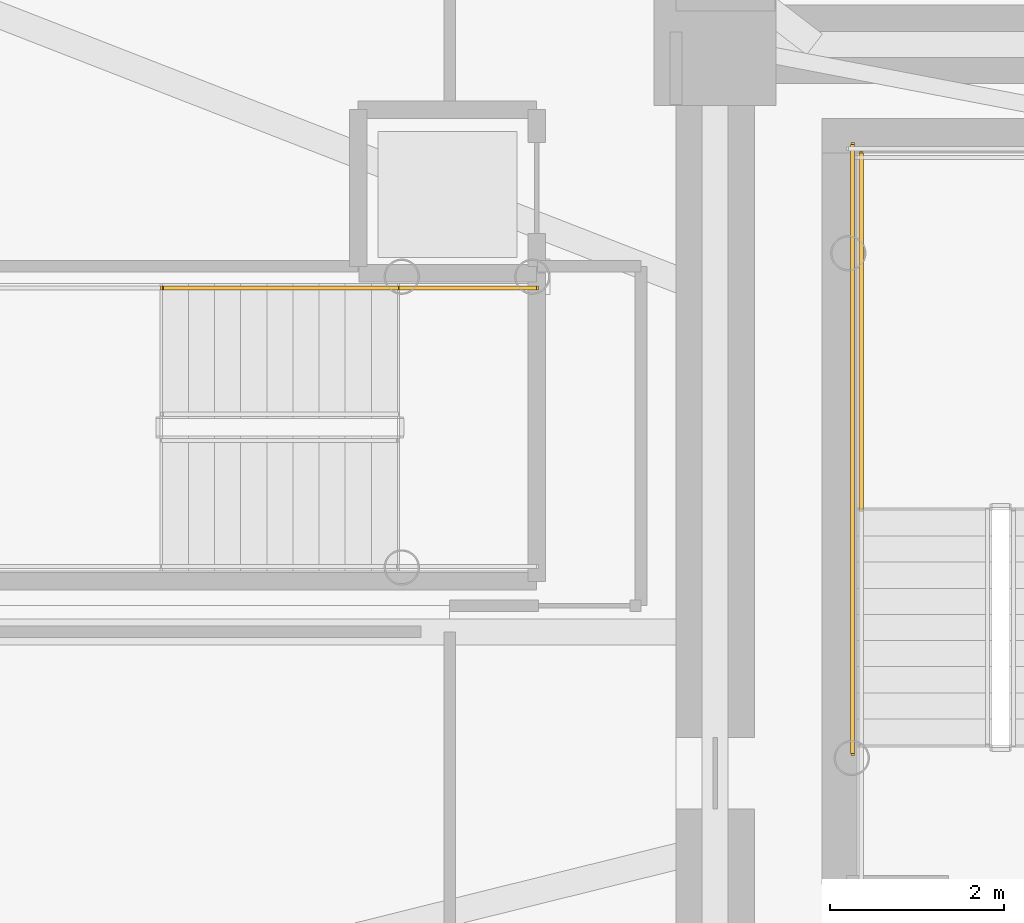
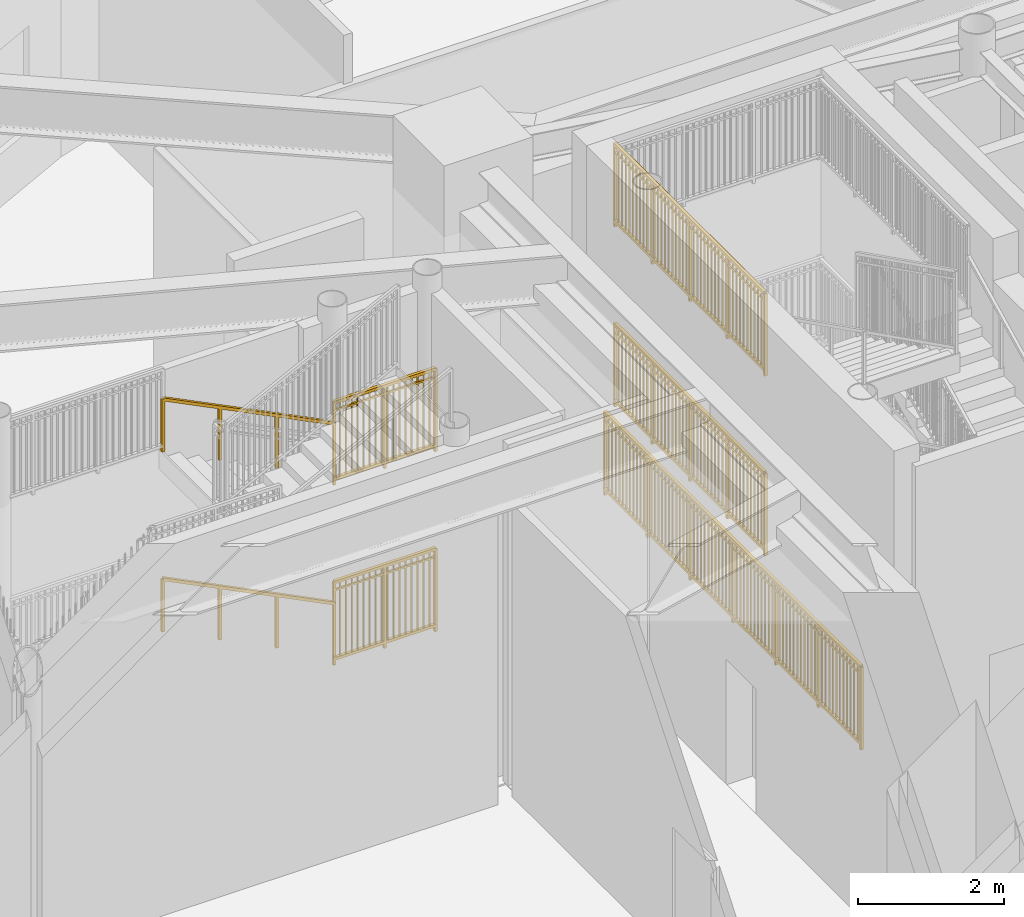
# One storey, part 36 of 46: 7 railings.
"""IFC4 building model written with IfcOpenShell, lengths in metres."""

from ifc_helpers import new_model, si_unit, direction, frame, origin, origin_2d, place, context, subcontext, project, spatial, rectangle, extrude, source, transform, mapped, material, type_object, element, save


model = new_model("IFC4")

# Units and contexts
model_context = context("Model", 3, precision=1e-05, world=origin(), true_north=direction((0.0, 1.0)))
body_context = subcontext(model_context, "Body", "Model", "MODEL_VIEW")
ifc_project = project(units=[si_unit("LENGTHUNIT", "METRE"), si_unit("AREAUNIT", "SQUARE_METRE"), si_unit("VOLUMEUNIT", "CUBIC_METRE"), si_unit("PLANEANGLEUNIT", "RADIAN"), si_unit("MASSUNIT", "GRAM", prefix="KILO")], contexts=[model_context])

# Site, building, storey
site_placement = place(None, origin())
site = spatial("IfcSite", under=ifc_project, at=site_placement, CompositionType="ELEMENT")
building_placement = place(site_placement, origin())
building = spatial("IfcBuilding", under=site, at=building_placement, Name="Linh Dai School and Residence Tower", CompositionType="ELEMENT")
storey_placement = place(building_placement, origin())
storey = spatial("IfcBuildingStorey", under=building, at=storey_placement, Name="L00", CompositionType="ELEMENT", Elevation=0.0)

# Railings
ifc_material_1 = material(Name="Structural Steel S355JR", Category="steel")
railing_type_1 = type_object("IfcRailingType", Name="RL-ST-GUARD-1400", PredefinedType="GUARDRAIL", material=ifc_material_1)
shared_shape_1 = source(origin(), body_context, "Body", "SweptSolid", [
    extrude(rectangle(XDim=0.048095703125, YDim=0.048095703125, at=origin_2d()), frame((0.0, 0.0, 1.3759765625), z_axis=(0.0, 1.0, 0.0), x_axis=(-1.0, 0.0, 0.0)), (0.0, 0.0, 1.0), 7.0),
    extrude(rectangle(XDim=0.048095703125, YDim=0.048095703125, at=origin_2d()), frame((0.0, 0.0, 0.10009765625), z_axis=(0.0, 1.0, 0.0), x_axis=(-1.0, 0.0, 0.0)), (0.0, 0.0, 1.0), 7.0),
    extrude(rectangle(XDim=0.030029296875, YDim=0.030029296875, at=origin_2d()), frame((0.0, 0.0, 1.239990234375), z_axis=(0.0, 1.0, 0.0), x_axis=(-1.0, 0.0, 0.0)), (0.0, 0.0, 1.0), 7.0),
    extrude(rectangle(XDim=0.02001953125, YDim=0.02001953125, at=origin_2d()), frame((0.0, 0.09716796875, 0.10009765625)), (0.0, 0.0, 1.0), 1.251708984375),
    extrude(rectangle(XDim=0.02001953125, YDim=0.02001953125, at=origin_2d()), frame((0.0, 0.1943359375, 0.10009765625)), (0.0, 0.0, 1.0), 1.251708984375),
    extrude(rectangle(XDim=0.02001953125, YDim=0.02001953125, at=origin_2d()), frame((0.0, 0.291748046875, 0.10009765625)), (0.0, 0.0, 1.0), 1.251708984375),
    extrude(rectangle(XDim=0.02001953125, YDim=0.02001953125, at=origin_2d()), frame((0.0, 0.388916015625, 0.10009765625)), (0.0, 0.0, 1.0), 1.251708984375),
    extrude(rectangle(XDim=0.02001953125, YDim=0.02001953125, at=origin_2d()), frame((0.0, 0.486083984375, 0.10009765625)), (0.0, 0.0, 1.0), 1.251708984375),
    extrude(rectangle(XDim=0.02001953125, YDim=0.02001953125, at=origin_2d()), frame((0.0, 0.583251953125, 0.10009765625)), (0.0, 0.0, 1.0), 1.251708984375),
    extrude(rectangle(XDim=0.02001953125, YDim=0.02001953125, at=origin_2d()), frame((0.0, 0.6806640625, 0.10009765625)), (0.0, 0.0, 1.0), 1.251708984375),
    extrude(rectangle(XDim=0.02001953125, YDim=0.02001953125, at=origin_2d()), frame((0.0, 0.77783203125, 0.10009765625)), (0.0, 0.0, 1.0), 1.251708984375),
    extrude(rectangle(XDim=0.02001953125, YDim=0.02001953125, at=origin_2d()), frame((0.0, 0.875, 0.10009765625)), (0.0, 0.0, 1.0), 1.251708984375),
    extrude(rectangle(XDim=0.02001953125, YDim=0.02001953125, at=origin_2d()), frame((0.0, 0.97216796875, 0.10009765625)), (0.0, 0.0, 1.0), 1.251708984375),
    extrude(rectangle(XDim=0.02001953125, YDim=0.02001953125, at=origin_2d()), frame((0.0, 1.0693359375, 0.10009765625)), (0.0, 0.0, 1.0), 1.251708984375),
    extrude(rectangle(XDim=0.02001953125, YDim=0.02001953125, at=origin_2d()), frame((0.0, 1.263916015625, 0.10009765625)), (0.0, 0.0, 1.0), 1.251708984375),
    extrude(rectangle(XDim=0.02001953125, YDim=0.02001953125, at=origin_2d()), frame((0.0, 1.361083984375, 0.10009765625)), (0.0, 0.0, 1.0), 1.251708984375),
    extrude(rectangle(XDim=0.02001953125, YDim=0.02001953125, at=origin_2d()), frame((0.0, 1.458251953125, 0.10009765625)), (0.0, 0.0, 1.0), 1.251708984375),
    extrude(rectangle(XDim=0.02001953125, YDim=0.02001953125, at=origin_2d()), frame((0.0, 1.5556640625, 0.10009765625)), (0.0, 0.0, 1.0), 1.251708984375),
    extrude(rectangle(XDim=0.02001953125, YDim=0.02001953125, at=origin_2d()), frame((0.0, 1.65283203125, 0.10009765625)), (0.0, 0.0, 1.0), 1.251708984375),
    extrude(rectangle(XDim=0.02001953125, YDim=0.02001953125, at=origin_2d()), frame((0.0, 1.75, 0.10009765625)), (0.0, 0.0, 1.0), 1.251708984375),
    extrude(rectangle(XDim=0.02001953125, YDim=0.02001953125, at=origin_2d()), frame((0.0, 1.84716796875, 0.10009765625)), (0.0, 0.0, 1.0), 1.251708984375),
    extrude(rectangle(XDim=0.02001953125, YDim=0.02001953125, at=origin_2d()), frame((0.0, 1.9443359375, 0.10009765625)), (0.0, 0.0, 1.0), 1.251708984375),
    extrude(rectangle(XDim=0.02001953125, YDim=0.02001953125, at=origin_2d()), frame((0.0, 2.041748046875, 0.10009765625)), (0.0, 0.0, 1.0), 1.251708984375),
    extrude(rectangle(XDim=0.02001953125, YDim=0.02001953125, at=origin_2d()), frame((0.0, 2.138916015625, 0.10009765625)), (0.0, 0.0, 1.0), 1.251708984375),
    extrude(rectangle(XDim=0.02001953125, YDim=0.02001953125, at=origin_2d()), frame((0.0, 2.236083984375, 0.10009765625)), (0.0, 0.0, 1.0), 1.251708984375),
    extrude(rectangle(XDim=0.02001953125, YDim=0.02001953125, at=origin_2d()), frame((0.0, 2.4306640625, 0.10009765625)), (0.0, 0.0, 1.0), 1.251708984375),
    extrude(rectangle(XDim=0.02001953125, YDim=0.02001953125, at=origin_2d()), frame((0.0, 2.52783203125, 0.10009765625)), (0.0, 0.0, 1.0), 1.251708984375),
    extrude(rectangle(XDim=0.02001953125, YDim=0.02001953125, at=origin_2d()), frame((0.0, 2.625, 0.10009765625)), (0.0, 0.0, 1.0), 1.251708984375),
    extrude(rectangle(XDim=0.02001953125, YDim=0.02001953125, at=origin_2d()), frame((0.0, 2.72216796875, 0.10009765625)), (0.0, 0.0, 1.0), 1.251708984375),
    extrude(rectangle(XDim=0.02001953125, YDim=0.02001953125, at=origin_2d()), frame((0.0, 2.8193359375, 0.10009765625)), (0.0, 0.0, 1.0), 1.251708984375),
    extrude(rectangle(XDim=0.02001953125, YDim=0.02001953125, at=origin_2d()), frame((0.0, 2.916748046875, 0.10009765625)), (0.0, 0.0, 1.0), 1.251708984375),
    extrude(rectangle(XDim=0.02001953125, YDim=0.02001953125, at=origin_2d()), frame((0.0, 3.013916015625, 0.10009765625)), (0.0, 0.0, 1.0), 1.251708984375),
    extrude(rectangle(XDim=0.02001953125, YDim=0.02001953125, at=origin_2d()), frame((0.0, 3.111083984375, 0.10009765625)), (0.0, 0.0, 1.0), 1.251708984375),
    extrude(rectangle(XDim=0.02001953125, YDim=0.02001953125, at=origin_2d()), frame((0.0, 3.208251953125, 0.10009765625)), (0.0, 0.0, 1.0), 1.251708984375),
    extrude(rectangle(XDim=0.02001953125, YDim=0.02001953125, at=origin_2d()), frame((0.0, 3.3056640625, 0.10009765625)), (0.0, 0.0, 1.0), 1.251708984375),
    extrude(rectangle(XDim=0.02001953125, YDim=0.02001953125, at=origin_2d()), frame((0.0, 3.40283203125, 0.10009765625)), (0.0, 0.0, 1.0), 1.251708984375),
    extrude(rectangle(XDim=0.02001953125, YDim=0.02001953125, at=origin_2d()), frame((0.0, 3.59716796875, 0.10009765625)), (0.0, 0.0, 1.0), 1.251708984375),
    extrude(rectangle(XDim=0.02001953125, YDim=0.02001953125, at=origin_2d()), frame((0.0, 3.6943359375, 0.10009765625)), (0.0, 0.0, 1.0), 1.251708984375),
    extrude(rectangle(XDim=0.02001953125, YDim=0.02001953125, at=origin_2d()), frame((0.0, 3.791748046875, 0.10009765625)), (0.0, 0.0, 1.0), 1.251708984375),
    extrude(rectangle(XDim=0.02001953125, YDim=0.02001953125, at=origin_2d()), frame((0.0, 3.888916015625, 0.10009765625)), (0.0, 0.0, 1.0), 1.251708984375),
    extrude(rectangle(XDim=0.02001953125, YDim=0.02001953125, at=origin_2d()), frame((0.0, 3.986083984375, 0.10009765625)), (0.0, 0.0, 1.0), 1.251708984375),
    extrude(rectangle(XDim=0.02001953125, YDim=0.02001953125, at=origin_2d()), frame((0.0, 4.083251953125, 0.10009765625)), (0.0, 0.0, 1.0), 1.251708984375),
    extrude(rectangle(XDim=0.02001953125, YDim=0.02001953125, at=origin_2d()), frame((0.0, 4.1806640625, 0.10009765625)), (0.0, 0.0, 1.0), 1.251708984375),
    extrude(rectangle(XDim=0.02001953125, YDim=0.02001953125, at=origin_2d()), frame((0.0, 4.27783203125, 0.10009765625)), (0.0, 0.0, 1.0), 1.251708984375),
    extrude(rectangle(XDim=0.02001953125, YDim=0.02001953125, at=origin_2d()), frame((0.0, 4.375, 0.10009765625)), (0.0, 0.0, 1.0), 1.251708984375),
    extrude(rectangle(XDim=0.02001953125, YDim=0.02001953125, at=origin_2d()), frame((0.0, 4.47216796875, 0.10009765625)), (0.0, 0.0, 1.0), 1.251708984375),
    extrude(rectangle(XDim=0.02001953125, YDim=0.02001953125, at=origin_2d()), frame((0.0, 4.5693359375, 0.10009765625)), (0.0, 0.0, 1.0), 1.251708984375),
    extrude(rectangle(XDim=0.02001953125, YDim=0.02001953125, at=origin_2d()), frame((0.0, 4.763916015625, 0.10009765625)), (0.0, 0.0, 1.0), 1.251708984375),
    extrude(rectangle(XDim=0.02001953125, YDim=0.02001953125, at=origin_2d()), frame((0.0, 4.861083984375, 0.10009765625)), (0.0, 0.0, 1.0), 1.251708984375),
    extrude(rectangle(XDim=0.02001953125, YDim=0.02001953125, at=origin_2d()), frame((0.0, 4.958251953125, 0.10009765625)), (0.0, 0.0, 1.0), 1.251708984375),
    extrude(rectangle(XDim=0.02001953125, YDim=0.02001953125, at=origin_2d()), frame((0.0, 5.0556640625, 0.10009765625)), (0.0, 0.0, 1.0), 1.251708984375),
    extrude(rectangle(XDim=0.02001953125, YDim=0.02001953125, at=origin_2d()), frame((0.0, 5.15283203125, 0.10009765625)), (0.0, 0.0, 1.0), 1.251708984375),
    extrude(rectangle(XDim=0.02001953125, YDim=0.02001953125, at=origin_2d()), frame((0.0, 5.25, 0.10009765625)), (0.0, 0.0, 1.0), 1.251708984375),
    extrude(rectangle(XDim=0.02001953125, YDim=0.02001953125, at=origin_2d()), frame((0.0, 5.34716796875, 0.10009765625)), (0.0, 0.0, 1.0), 1.251708984375),
    extrude(rectangle(XDim=0.02001953125, YDim=0.02001953125, at=origin_2d()), frame((0.0, 5.4443359375, 0.10009765625)), (0.0, 0.0, 1.0), 1.251708984375),
    extrude(rectangle(XDim=0.02001953125, YDim=0.02001953125, at=origin_2d()), frame((0.0, 5.541748046875, 0.10009765625)), (0.0, 0.0, 1.0), 1.251708984375),
    extrude(rectangle(XDim=0.02001953125, YDim=0.02001953125, at=origin_2d()), frame((0.0, 5.638916015625, 0.10009765625)), (0.0, 0.0, 1.0), 1.251708984375),
    extrude(rectangle(XDim=0.02001953125, YDim=0.02001953125, at=origin_2d()), frame((0.0, 5.736083984375, 0.10009765625)), (0.0, 0.0, 1.0), 1.251708984375),
    extrude(rectangle(XDim=0.02001953125, YDim=0.02001953125, at=origin_2d()), frame((0.0, 5.9306640625, 0.10009765625)), (0.0, 0.0, 1.0), 1.251708984375),
    extrude(rectangle(XDim=0.02001953125, YDim=0.02001953125, at=origin_2d()), frame((0.0, 6.02783203125, 0.10009765625)), (0.0, 0.0, 1.0), 1.251708984375),
    extrude(rectangle(XDim=0.02001953125, YDim=0.02001953125, at=origin_2d()), frame((0.0, 6.125, 0.10009765625)), (0.0, 0.0, 1.0), 1.251708984375),
    extrude(rectangle(XDim=0.02001953125, YDim=0.02001953125, at=origin_2d()), frame((0.0, 6.22216796875, 0.10009765625)), (0.0, 0.0, 1.0), 1.251708984375),
    extrude(rectangle(XDim=0.02001953125, YDim=0.02001953125, at=origin_2d()), frame((0.0, 6.3193359375, 0.10009765625)), (0.0, 0.0, 1.0), 1.251708984375),
    extrude(rectangle(XDim=0.02001953125, YDim=0.02001953125, at=origin_2d()), frame((0.0, 6.416748046875, 0.10009765625)), (0.0, 0.0, 1.0), 1.251708984375),
    extrude(rectangle(XDim=0.02001953125, YDim=0.02001953125, at=origin_2d()), frame((0.0, 6.513916015625, 0.10009765625)), (0.0, 0.0, 1.0), 1.251708984375),
    extrude(rectangle(XDim=0.02001953125, YDim=0.02001953125, at=origin_2d()), frame((0.0, 6.611083984375, 0.10009765625)), (0.0, 0.0, 1.0), 1.251708984375),
    extrude(rectangle(XDim=0.02001953125, YDim=0.02001953125, at=origin_2d()), frame((0.0, 6.708251953125, 0.10009765625)), (0.0, 0.0, 1.0), 1.251708984375),
    extrude(rectangle(XDim=0.02001953125, YDim=0.02001953125, at=origin_2d()), frame((0.0, 6.8056640625, 0.10009765625)), (0.0, 0.0, 1.0), 1.251708984375),
    extrude(rectangle(XDim=0.02001953125, YDim=0.02001953125, at=origin_2d()), frame((0.0, 6.90283203125, 0.10009765625)), (0.0, 0.0, 1.0), 1.251708984375),
    extrude(rectangle(XDim=0.0419921875, YDim=0.0419921875, at=origin_2d()), origin(), (0.0, 0.0, 1.0), 1.3759765625),
    extrude(rectangle(XDim=0.0419921875, YDim=0.0419921875, at=origin_2d()), frame((0.0, 1.166748046875, 0.0)), (0.0, 0.0, 1.0), 1.3759765625),
    extrude(rectangle(XDim=0.0419921875, YDim=0.0419921875, at=origin_2d()), frame((0.0, 2.333251953125, 0.0)), (0.0, 0.0, 1.0), 1.3759765625),
    extrude(rectangle(XDim=0.0419921875, YDim=0.0419921875, at=origin_2d()), frame((0.0, 3.5, 0.0)), (0.0, 0.0, 1.0), 1.3759765625),
    extrude(rectangle(XDim=0.0419921875, YDim=0.0419921875, at=origin_2d()), frame((0.0, 4.666748046875, 0.0)), (0.0, 0.0, 1.0), 1.3759765625),
    extrude(rectangle(XDim=0.0419921875, YDim=0.0419921875, at=origin_2d()), frame((0.0, 5.833251953125, 0.0)), (0.0, 0.0, 1.0), 1.3759765625),
    extrude(rectangle(XDim=0.0419921875, YDim=0.0419921875, at=origin_2d()), frame((0.0, 7.0, 0.0)), (0.0, 0.0, 1.0), 1.3759765625),
])
railing_placement = place(storey_placement, frame((27.6298828125, 25.60009765625, 0.0)))
element("IfcRailing", 1, at=railing_placement, inside=storey, type_object=railing_type_1, Name="L00 ST1 stair guard 20", PredefinedType="GUARDRAIL", context=body_context, shape_type="MappedRepresentation", body=[
    mapped(shared_shape_1, transform((0.0, 0.0, 0.0), x_axis=(1.0, 0.0, 0.0), y_axis=(0.0, 1.0, 0.0), z_axis=(0.0, 0.0, 1.0), scale=1.0)),
])
shared_shape_2 = source(origin(), body_context, "Body", "SweptSolid", [
    extrude(rectangle(XDim=0.048095703125, YDim=0.048095703125, at=origin_2d()), frame((0.0, 0.0, 1.3759765625), z_axis=(0.0, 1.0, 0.0), x_axis=(-1.0, 0.0, 0.0)), (0.0, 0.0, 1.0), 4.10009765625),
    extrude(rectangle(XDim=0.048095703125, YDim=0.048095703125, at=origin_2d()), frame((0.0, 0.0, 0.10009765625), z_axis=(0.0, 1.0, 0.0), x_axis=(-1.0, 0.0, 0.0)), (0.0, 0.0, 1.0), 4.10009765625),
    extrude(rectangle(XDim=0.030029296875, YDim=0.030029296875, at=origin_2d()), frame((0.0, 0.0, 1.239990234375), z_axis=(0.0, 1.0, 0.0), x_axis=(-1.0, 0.0, 0.0)), (0.0, 0.0, 1.0), 4.10009765625),
    extrude(rectangle(XDim=0.02001953125, YDim=0.02001953125, at=origin_2d()), frame((0.0, 0.09765625, 0.10009765625)), (0.0, 0.0, 1.0), 1.251708984375),
    extrude(rectangle(XDim=0.02001953125, YDim=0.02001953125, at=origin_2d()), frame((0.0, 0.1953125, 0.10009765625)), (0.0, 0.0, 1.0), 1.251708984375),
    extrude(rectangle(XDim=0.02001953125, YDim=0.02001953125, at=origin_2d()), frame((0.0, 0.29296875, 0.10009765625)), (0.0, 0.0, 1.0), 1.251708984375),
    extrude(rectangle(XDim=0.02001953125, YDim=0.02001953125, at=origin_2d()), frame((0.0, 0.390380859375, 0.10009765625)), (0.0, 0.0, 1.0), 1.251708984375),
    extrude(rectangle(XDim=0.02001953125, YDim=0.02001953125, at=origin_2d()), frame((0.0, 0.488037109375, 0.10009765625)), (0.0, 0.0, 1.0), 1.251708984375),
    extrude(rectangle(XDim=0.02001953125, YDim=0.02001953125, at=origin_2d()), frame((0.0, 0.585693359375, 0.10009765625)), (0.0, 0.0, 1.0), 1.251708984375),
    extrude(rectangle(XDim=0.02001953125, YDim=0.02001953125, at=origin_2d()), frame((0.0, 0.683349609375, 0.10009765625)), (0.0, 0.0, 1.0), 1.251708984375),
    extrude(rectangle(XDim=0.02001953125, YDim=0.02001953125, at=origin_2d()), frame((0.0, 0.781005859375, 0.10009765625)), (0.0, 0.0, 1.0), 1.251708984375),
    extrude(rectangle(XDim=0.02001953125, YDim=0.02001953125, at=origin_2d()), frame((0.0, 0.878662109375, 0.10009765625)), (0.0, 0.0, 1.0), 1.251708984375),
    extrude(rectangle(XDim=0.02001953125, YDim=0.02001953125, at=origin_2d()), frame((0.0, 0.976318359375, 0.10009765625)), (0.0, 0.0, 1.0), 1.251708984375),
    extrude(rectangle(XDim=0.02001953125, YDim=0.02001953125, at=origin_2d()), frame((0.0, 1.07373046875, 0.10009765625)), (0.0, 0.0, 1.0), 1.251708984375),
    extrude(rectangle(XDim=0.02001953125, YDim=0.02001953125, at=origin_2d()), frame((0.0, 1.17138671875, 0.10009765625)), (0.0, 0.0, 1.0), 1.251708984375),
    extrude(rectangle(XDim=0.02001953125, YDim=0.02001953125, at=origin_2d()), frame((0.0, 1.26904296875, 0.10009765625)), (0.0, 0.0, 1.0), 1.251708984375),
    extrude(rectangle(XDim=0.02001953125, YDim=0.02001953125, at=origin_2d()), frame((0.0, 1.36669921875, 0.10009765625)), (0.0, 0.0, 1.0), 1.251708984375),
    extrude(rectangle(XDim=0.02001953125, YDim=0.02001953125, at=origin_2d()), frame((0.0, 1.46435546875, 0.10009765625)), (0.0, 0.0, 1.0), 1.251708984375),
    extrude(rectangle(XDim=0.02001953125, YDim=0.02001953125, at=origin_2d()), frame((0.0, 1.56201171875, 0.10009765625)), (0.0, 0.0, 1.0), 1.251708984375),
    extrude(rectangle(XDim=0.02001953125, YDim=0.02001953125, at=origin_2d()), frame((0.0, 1.65966796875, 0.10009765625)), (0.0, 0.0, 1.0), 1.251708984375),
    extrude(rectangle(XDim=0.02001953125, YDim=0.02001953125, at=origin_2d()), frame((0.0, 1.757080078125, 0.10009765625)), (0.0, 0.0, 1.0), 1.251708984375),
    extrude(rectangle(XDim=0.02001953125, YDim=0.02001953125, at=origin_2d()), frame((0.0, 1.854736328125, 0.10009765625)), (0.0, 0.0, 1.0), 1.251708984375),
    extrude(rectangle(XDim=0.02001953125, YDim=0.02001953125, at=origin_2d()), frame((0.0, 1.952392578125, 0.10009765625)), (0.0, 0.0, 1.0), 1.251708984375),
    extrude(rectangle(XDim=0.02001953125, YDim=0.02001953125, at=origin_2d()), frame((0.0, 2.147705078125, 0.10009765625)), (0.0, 0.0, 1.0), 1.251708984375),
    extrude(rectangle(XDim=0.02001953125, YDim=0.02001953125, at=origin_2d()), frame((0.0, 2.245361328125, 0.10009765625)), (0.0, 0.0, 1.0), 1.251708984375),
    extrude(rectangle(XDim=0.02001953125, YDim=0.02001953125, at=origin_2d()), frame((0.0, 2.343017578125, 0.10009765625)), (0.0, 0.0, 1.0), 1.251708984375),
    extrude(rectangle(XDim=0.02001953125, YDim=0.02001953125, at=origin_2d()), frame((0.0, 2.4404296875, 0.10009765625)), (0.0, 0.0, 1.0), 1.251708984375),
    extrude(rectangle(XDim=0.02001953125, YDim=0.02001953125, at=origin_2d()), frame((0.0, 2.5380859375, 0.10009765625)), (0.0, 0.0, 1.0), 1.251708984375),
    extrude(rectangle(XDim=0.02001953125, YDim=0.02001953125, at=origin_2d()), frame((0.0, 2.6357421875, 0.10009765625)), (0.0, 0.0, 1.0), 1.251708984375),
    extrude(rectangle(XDim=0.02001953125, YDim=0.02001953125, at=origin_2d()), frame((0.0, 2.7333984375, 0.10009765625)), (0.0, 0.0, 1.0), 1.251708984375),
    extrude(rectangle(XDim=0.02001953125, YDim=0.02001953125, at=origin_2d()), frame((0.0, 2.8310546875, 0.10009765625)), (0.0, 0.0, 1.0), 1.251708984375),
    extrude(rectangle(XDim=0.02001953125, YDim=0.02001953125, at=origin_2d()), frame((0.0, 2.9287109375, 0.10009765625)), (0.0, 0.0, 1.0), 1.251708984375),
    extrude(rectangle(XDim=0.02001953125, YDim=0.02001953125, at=origin_2d()), frame((0.0, 3.0263671875, 0.10009765625)), (0.0, 0.0, 1.0), 1.251708984375),
    extrude(rectangle(XDim=0.02001953125, YDim=0.02001953125, at=origin_2d()), frame((0.0, 3.123779296875, 0.10009765625)), (0.0, 0.0, 1.0), 1.251708984375),
    extrude(rectangle(XDim=0.02001953125, YDim=0.02001953125, at=origin_2d()), frame((0.0, 3.221435546875, 0.10009765625)), (0.0, 0.0, 1.0), 1.251708984375),
    extrude(rectangle(XDim=0.02001953125, YDim=0.02001953125, at=origin_2d()), frame((0.0, 3.319091796875, 0.10009765625)), (0.0, 0.0, 1.0), 1.251708984375),
    extrude(rectangle(XDim=0.02001953125, YDim=0.02001953125, at=origin_2d()), frame((0.0, 3.416748046875, 0.10009765625)), (0.0, 0.0, 1.0), 1.251708984375),
    extrude(rectangle(XDim=0.02001953125, YDim=0.02001953125, at=origin_2d()), frame((0.0, 3.514404296875, 0.10009765625)), (0.0, 0.0, 1.0), 1.251708984375),
    extrude(rectangle(XDim=0.02001953125, YDim=0.02001953125, at=origin_2d()), frame((0.0, 3.612060546875, 0.10009765625)), (0.0, 0.0, 1.0), 1.251708984375),
    extrude(rectangle(XDim=0.02001953125, YDim=0.02001953125, at=origin_2d()), frame((0.0, 3.709716796875, 0.10009765625)), (0.0, 0.0, 1.0), 1.251708984375),
    extrude(rectangle(XDim=0.02001953125, YDim=0.02001953125, at=origin_2d()), frame((0.0, 3.80712890625, 0.10009765625)), (0.0, 0.0, 1.0), 1.251708984375),
    extrude(rectangle(XDim=0.02001953125, YDim=0.02001953125, at=origin_2d()), frame((0.0, 3.90478515625, 0.10009765625)), (0.0, 0.0, 1.0), 1.251708984375),
    extrude(rectangle(XDim=0.02001953125, YDim=0.02001953125, at=origin_2d()), frame((0.0, 4.00244140625, 0.10009765625)), (0.0, 0.0, 1.0), 1.251708984375),
    extrude(rectangle(XDim=0.0419921875, YDim=0.0419921875, at=origin_2d()), origin(), (0.0, 0.0, 1.0), 1.3759765625),
    extrude(rectangle(XDim=0.0419921875, YDim=0.0419921875, at=origin_2d()), frame((0.0, 1.02490234375, 0.0)), (0.0, 0.0, 1.0), 1.3759765625),
    extrude(rectangle(XDim=0.0419921875, YDim=0.0419921875, at=origin_2d()), frame((0.0, 2.050048828125, 0.0)), (0.0, 0.0, 1.0), 1.3759765625),
    extrude(rectangle(XDim=0.0419921875, YDim=0.0419921875, at=origin_2d()), frame((0.0, 3.0751953125, 0.0)), (0.0, 0.0, 1.0), 1.3759765625),
    extrude(rectangle(XDim=0.0419921875, YDim=0.0419921875, at=origin_2d()), frame((0.0, 4.10009765625, 0.0)), (0.0, 0.0, 1.0), 1.3759765625),
])
for number, where, name in (
    (2, (27.72998046875, 28.39990234375, 1.5), "L00 ST1 stair guard 4"),
    (3, (27.72998046875, 28.39990234375, 4.5), "L00 ST1 stair guard 13"),
):
    element("IfcRailing", number, at=place(storey_placement, frame(where)), inside=storey, type_object=railing_type_1, Name=name, PredefinedType="GUARDRAIL", context=body_context, shape_type="MappedRepresentation", body=[
        mapped(shared_shape_2, transform((0.0, 0.0, 0.0), x_axis=(1.0, 0.0, 0.0), y_axis=(0.0, 1.0, 0.0), z_axis=(0.0, 0.0, 1.0), scale=1.0)),
    ])
shared_shape_3 = source(origin(), body_context, "Body", "SweptSolid", [
    extrude(rectangle(XDim=0.048095703125, YDim=0.048095703125, at=origin_2d()), frame((0.0, 0.0, 1.3759765625), z_axis=(-1.0, 0.0, 0.0), x_axis=(0.0, -1.0, 0.0)), (0.0, 0.0, 1.0), 1.60009765625),
    extrude(rectangle(XDim=0.048095703125, YDim=0.048095703125, at=origin_2d()), frame((0.0, 0.0, 0.10009765625), z_axis=(-1.0, 0.0, 0.0), x_axis=(0.0, -1.0, 0.0)), (0.0, 0.0, 1.0), 1.60009765625),
    extrude(rectangle(XDim=0.030029296875, YDim=0.030029296875, at=origin_2d()), frame((0.0, 0.0, 1.239990234375), z_axis=(-1.0, 0.0, 0.0), x_axis=(0.0, -1.0, 0.0)), (0.0, 0.0, 1.0), 1.60009765625),
    extrude(rectangle(XDim=0.02001953125, YDim=0.02001953125, at=origin_2d()), frame((-0.09423828125, 0.0, 0.10009765625)), (0.0, 0.0, 1.0), 1.251708984375),
    extrude(rectangle(XDim=0.02001953125, YDim=0.02001953125, at=origin_2d()), frame((-0.188232421875, 0.0, 0.10009765625)), (0.0, 0.0, 1.0), 1.251708984375),
    extrude(rectangle(XDim=0.02001953125, YDim=0.02001953125, at=origin_2d()), frame((-0.282470703125, 0.0, 0.10009765625)), (0.0, 0.0, 1.0), 1.251708984375),
    extrude(rectangle(XDim=0.02001953125, YDim=0.02001953125, at=origin_2d()), frame((-0.37646484375, 0.0, 0.10009765625)), (0.0, 0.0, 1.0), 1.251708984375),
    extrude(rectangle(XDim=0.02001953125, YDim=0.02001953125, at=origin_2d()), frame((-0.470703125, 0.0, 0.10009765625)), (0.0, 0.0, 1.0), 1.251708984375),
    extrude(rectangle(XDim=0.02001953125, YDim=0.02001953125, at=origin_2d()), frame((-0.564697265625, 0.0, 0.10009765625)), (0.0, 0.0, 1.0), 1.251708984375),
    extrude(rectangle(XDim=0.02001953125, YDim=0.02001953125, at=origin_2d()), frame((-0.658935546875, 0.0, 0.10009765625)), (0.0, 0.0, 1.0), 1.251708984375),
    extrude(rectangle(XDim=0.02001953125, YDim=0.02001953125, at=origin_2d()), frame((-0.7529296875, 0.0, 0.10009765625)), (0.0, 0.0, 1.0), 1.251708984375),
    extrude(rectangle(XDim=0.02001953125, YDim=0.02001953125, at=origin_2d()), frame((-0.84716796875, 0.0, 0.10009765625)), (0.0, 0.0, 1.0), 1.251708984375),
    extrude(rectangle(XDim=0.02001953125, YDim=0.02001953125, at=origin_2d()), frame((-0.941162109375, 0.0, 0.10009765625)), (0.0, 0.0, 1.0), 1.251708984375),
    extrude(rectangle(XDim=0.02001953125, YDim=0.02001953125, at=origin_2d()), frame((-1.035400390625, 0.0, 0.10009765625)), (0.0, 0.0, 1.0), 1.251708984375),
    extrude(rectangle(XDim=0.02001953125, YDim=0.02001953125, at=origin_2d()), frame((-1.12939453125, 0.0, 0.10009765625)), (0.0, 0.0, 1.0), 1.251708984375),
    extrude(rectangle(XDim=0.02001953125, YDim=0.02001953125, at=origin_2d()), frame((-1.2236328125, 0.0, 0.10009765625)), (0.0, 0.0, 1.0), 1.251708984375),
    extrude(rectangle(XDim=0.02001953125, YDim=0.02001953125, at=origin_2d()), frame((-1.317626953125, 0.0, 0.10009765625)), (0.0, 0.0, 1.0), 1.251708984375),
    extrude(rectangle(XDim=0.02001953125, YDim=0.02001953125, at=origin_2d()), frame((-1.411865234375, 0.0, 0.10009765625)), (0.0, 0.0, 1.0), 1.251708984375),
    extrude(rectangle(XDim=0.02001953125, YDim=0.02001953125, at=origin_2d()), frame((-1.505859375, 0.0, 0.10009765625)), (0.0, 0.0, 1.0), 1.251708984375),
    extrude(rectangle(XDim=0.0419921875, YDim=0.0419921875, at=origin_2d()), origin(), (0.0, 0.0, 1.0), 1.3759765625),
    extrude(rectangle(XDim=0.0419921875, YDim=0.0419921875, at=origin_2d()), frame((-0.800048828125, 0.0, 0.0)), (0.0, 0.0, 1.0), 1.3759765625),
    extrude(rectangle(XDim=0.0419921875, YDim=0.0419921875, at=origin_2d()), frame((-1.60009765625, 0.0, 0.0)), (0.0, 0.0, 1.0), 1.3759765625),
])
for number, where, name in (
    (4, (24.0, 30.949951171875, 3.0), "L00 STS1 stair guard 8"),
    (5, (24.0, 30.949951171875, 0.0), "L00 STS1 stair guard 17"),
):
    element("IfcRailing", number, at=place(storey_placement, frame(where)), inside=storey, type_object=railing_type_1, Name=name, PredefinedType="GUARDRAIL", context=body_context, shape_type="MappedRepresentation", body=[
        mapped(shared_shape_3, transform((0.0, 0.0, 0.0), x_axis=(1.0, 0.0, 0.0), y_axis=(0.0, 1.0, 0.0), z_axis=(0.0, 0.0, 1.0), scale=1.0)),
    ])
ifc_material_2 = material(Name="Brushed Stainless Steel Handrail", Category="steel")
railing_type_2 = type_object("IfcRailingType", Name="RL-ST-HANDRAIL-900", PredefinedType="HANDRAIL", material=ifc_material_2)
shared_shape_4 = source(origin(), body_context, "Body", "SweptSolid", [
    extrude(rectangle(XDim=0.048095703125, YDim=0.048095703125, at=origin_2d()), frame((0.0, 0.0, 0.8759765625), z_axis=(-0.894411015155, 0.0, 0.447245945728), x_axis=(0.0, -1.0, 0.0)), (0.0, 0.0, 1.0), 3.018798828125),
    extrude(rectangle(XDim=0.0419921875, YDim=0.0419921875, at=origin_2d()), origin(), (0.0, 0.0, 1.0), 0.8759765625),
    extrude(rectangle(XDim=0.0419921875, YDim=0.0419921875, at=origin_2d()), frame((-0.89990234375, 0.0, 0.449951171875)), (0.0, 0.0, 1.0), 0.8759765625),
    extrude(rectangle(XDim=0.0419921875, YDim=0.0419921875, at=origin_2d()), frame((-1.800048828125, 0.0, 0.900146484375)), (0.0, 0.0, 1.0), 0.8759765625),
    extrude(rectangle(XDim=0.0419921875, YDim=0.0419921875, at=origin_2d()), frame((-2.699951171875, 0.0, 1.35009765625)), (0.0, 0.0, 1.0), 0.8759765625),
])
for number, where, name in (
    (6, (22.39990234375, 30.949951171875, 0.14990234375), "L00 STS1 stair handrail 1"),
    (7, (22.39990234375, 30.949951171875, 3.14990234375), "L00 STS1 stair handrail 3"),
):
    element("IfcRailing", number, at=place(storey_placement, frame(where)), inside=storey, type_object=railing_type_2, Name=name, PredefinedType="HANDRAIL", context=body_context, shape_type="MappedRepresentation", body=[
        mapped(shared_shape_4, transform((0.0, 0.0, 0.0), x_axis=(1.0, 0.0, 0.0), y_axis=(0.0, 1.0, 0.0), z_axis=(0.0, 0.0, 1.0), scale=1.0)),
    ])

save(model, "model.ifc")
